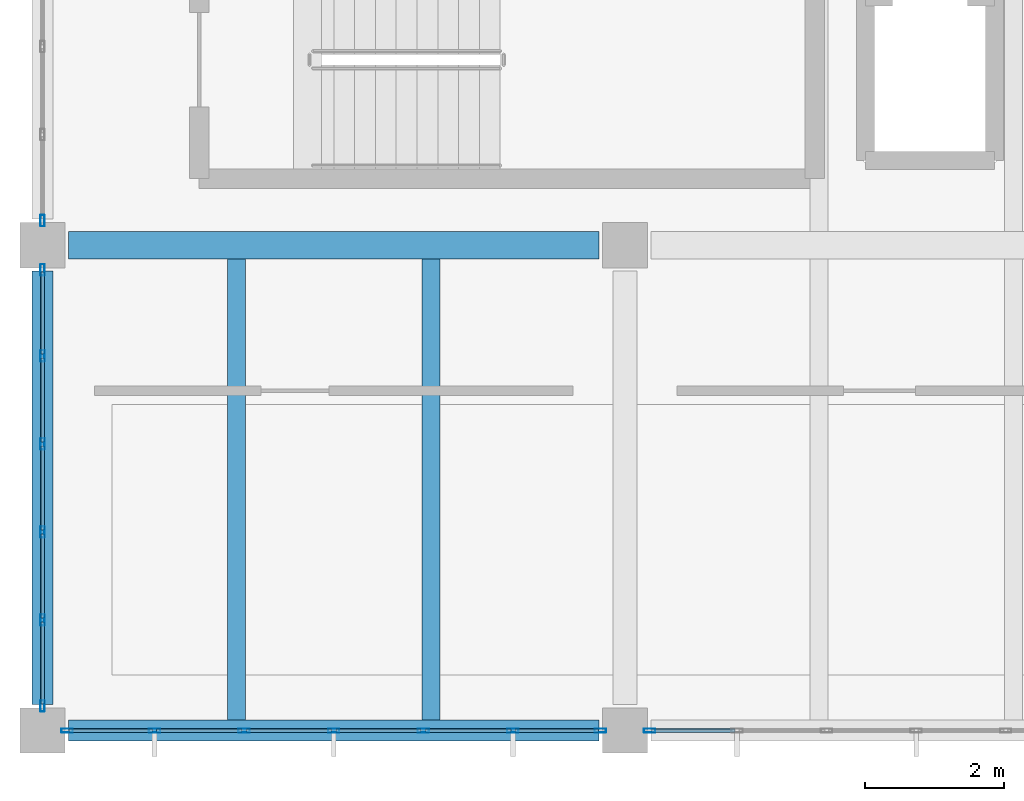
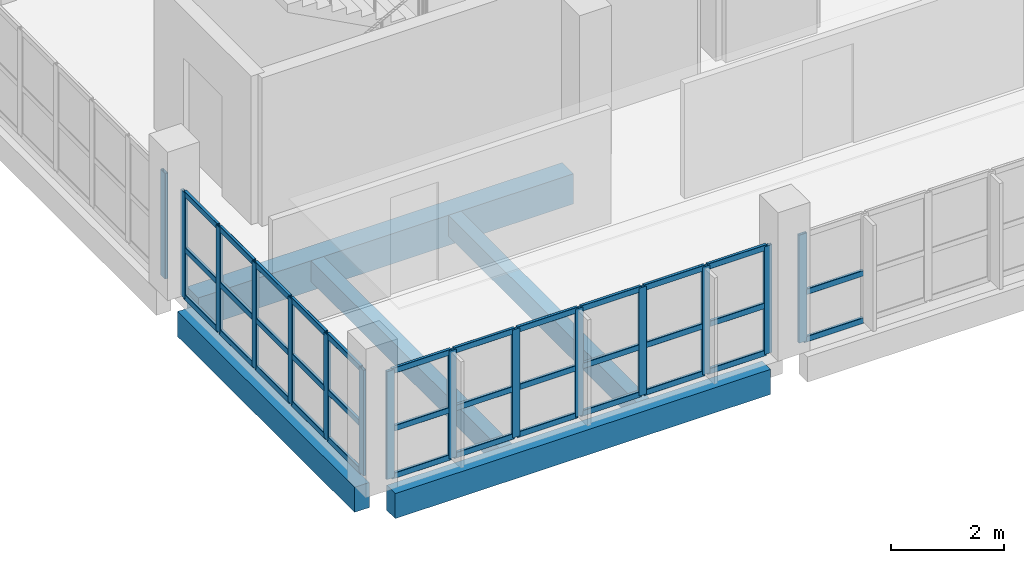
# One storey, part 2 of 33: 50 members, 5 beams, 4 elements without a shape of their own.
"""IFC4 building model written with IfcOpenShell, lengths in metres."""

from ifc_helpers import new_model, si_unit, direction, frame, origin, origin_2d, place, context, subcontext, project, spatial, rectangle, hollow_rectangle, extrude, material, layer, layer_set, material_profile, profile_set, type_object, element, aggregate, save


model = new_model("IFC4")

# Units and contexts
model_context = context("Model", 3, precision=1e-05, world=origin(), true_north=direction((0.0, 1.0)))
body_context = subcontext(model_context, "Body", "Model", "MODEL_VIEW")
ifc_project = project(units=[si_unit("LENGTHUNIT", "METRE"), si_unit("AREAUNIT", "SQUARE_METRE"), si_unit("VOLUMEUNIT", "CUBIC_METRE"), si_unit("PLANEANGLEUNIT", "RADIAN"), si_unit("MASSUNIT", "GRAM", prefix="KILO"), si_unit("THERMODYNAMICTEMPERATUREUNIT", "KELVIN"), si_unit("POWERUNIT", "WATT")], contexts=[model_context])

# Site, building, storey
site_placement = place(None, origin())
site = spatial("IfcSite", under=ifc_project, at=site_placement, CompositionType="ELEMENT")
building_placement = place(site_placement, origin())
building = spatial("IfcBuilding", under=site, at=building_placement, Name="Mavoryth Pier Ferry Terminal", CompositionType="ELEMENT")
storey_placement = place(building_placement, frame((0.0, 0.0, 13.1201171875)))
storey = spatial("IfcBuildingStorey", under=building, at=storey_placement, Name="L03", CompositionType="ELEMENT", Elevation=13.1201171875)

# Beams
ifc_material_1 = material(Name="Concrete C35/45", Category="concrete")
ifc_material_profile_1 = material_profile(ifc_material_1, rectangle(XDim=0.39990234375, YDim=0.64990234375, at=origin_2d()), Name="RC 400x650", Category="concrete")
ifc_profile_set_1 = profile_set([ifc_material_profile_1], Name="Concrete C35/45 - RC 400x650")
beam_type_1 = type_object("IfcBeamType", Name="Girder-RC-400x650", PredefinedType="BEAM", material=ifc_profile_set_1)
beam_1_placement = place(storey_placement, frame((42.375, 7.0, -0.585205078125), z_axis=(1.0, 0.0, 0.0), x_axis=(0.0, 1.0, 0.0)))
element("IfcBeam", 1, at=beam_1_placement, inside=storey, type_object=beam_type_1, Name="Beam B03-BG05-1239", PredefinedType="BEAM", context=body_context, shape_type="SweptSolid", body=[
    extrude(rectangle(XDim=0.39990234375, YDim=0.64990234375, at=origin_2d()), origin(), (0.0, 0.0, 1.0), 7.64990234375),
])
ifc_material_profile_2 = material_profile(ifc_material_1, rectangle(XDim=0.260009765625, YDim=0.449951171875, at=origin_2d()), Name="RC 260x450", Category="concrete")
ifc_profile_set_2 = profile_set([ifc_material_profile_2], Name="Concrete C35/45 - RC 260x450")
beam_type_2 = type_object("IfcBeamType", Name="Joist-RC-260x450", PredefinedType="JOIST", material=ifc_profile_set_2)
for number, where, z_axis, x_axis, name in (
    (2, (44.800048828125, 0.14990234375, -0.485107421875), (0.0, 1.0, 0.0), (-1.0, 0.0, 0.0), "Beam B03-BJ03-1278"),
    (3, (47.60009765625, 0.14990234375, -0.485107421875), (0.0, 1.0, 0.0), (-1.0, 0.0, 0.0), "Beam B03-BJ03-1279"),
):
    element("IfcBeam", number, at=place(storey_placement, frame(where, z_axis=z_axis, x_axis=x_axis)), inside=storey, type_object=beam_type_2, Name=name, PredefinedType="JOIST", context=body_context, shape_type="SweptSolid", body=[
        extrude(rectangle(XDim=0.260009765625, YDim=0.449951171875, at=origin_2d()), origin(), (0.0, 0.0, 1.0), 6.650146484375),
    ])

# Curtain wall, members
ifc_material_2 = material(Name="Anodised Aluminium and Solar-Control Low-E Glass", Category="aluminium")
ifc_layer = layer(ifc_material_2, 0.239990234375, Name="Anodised Aluminium and Solar-Control Low-E Glass", Category="aluminium")
ifc_layer_set = layer_set([ifc_layer], Name="Anodised Aluminium and Solar-Control Low-E Glass - CW-Operations-Mod1200")
curtain_wall_type = type_object("IfcCurtainWallType", Name="CW-Operations-Mod1200", PredefinedType="USERDEFINED", material=ifc_layer_set)
curtain_wall_1_placement = place(storey_placement, origin())
curtain_wall_1 = element("IfcCurtainWall", 4, at=curtain_wall_1_placement, inside=storey, type_object=curtain_wall_type, Name="Curtain Wall CW-0322-136", ObjectType="UNITISED CURTAIN WALL", PredefinedType="USERDEFINED")
ifc_material_3 = material(Name="Anodised Aluminium EN AW-6063", Category="aluminium")
ifc_material_profile_3 = material_profile(ifc_material_3, hollow_rectangle(XDim=0.06005859375, YDim=0.1650390625, WallThickness=0.00390625, InnerFilletRadius=0.00390625, OuterFilletRadius=0.008056640625, at=origin_2d()), Name="AL-MULL 165x60x4", Category="aluminium")
ifc_profile_set_3 = profile_set([ifc_material_profile_3], Name="Anodised Aluminium EN AW-6063 - AL-MULL 165x60x4")
member_type_1 = type_object("IfcMemberType", Name="Mullion-Alum-165x60", PredefinedType="MULLION", material=ifc_profile_set_3)
member_1_placement = place(storey_placement, frame((42.35498046875, 0.0, 0.0), z_axis=(0.0, 0.0, 1.0), x_axis=(0.0, 1.0, 0.0)))
member_1 = element("IfcMember", 5, at=member_1_placement, type_object=member_type_1, Name="CW06 mullion 1", PredefinedType="MULLION", context=body_context, shape_type="SweptSolid", body=[
    extrude(hollow_rectangle(XDim=0.06005859375, YDim=0.1650390625, WallThickness=0.00390625, InnerFilletRadius=0.00390625, OuterFilletRadius=0.008056640625, at=origin_2d()), origin(), (0.0, 0.0, 1.0), 2.324951171875),
])
member_2_placement = place(storey_placement, frame((43.61669921875, 0.0, 0.0), z_axis=(0.0, 0.0, 1.0), x_axis=(0.0, 1.0, 0.0)))
member_2 = element("IfcMember", 6, at=member_2_placement, type_object=member_type_1, Name="CW06 mullion 2", PredefinedType="MULLION", context=body_context, shape_type="SweptSolid", body=[
    extrude(hollow_rectangle(XDim=0.06005859375, YDim=0.1650390625, WallThickness=0.00390625, InnerFilletRadius=0.00390625, OuterFilletRadius=0.008056640625, at=origin_2d()), origin(), (0.0, 0.0, 1.0), 2.324951171875),
])
member_3_placement = place(storey_placement, frame((44.908447265625, 0.0, 0.0), z_axis=(0.0, 0.0, 1.0), x_axis=(0.0, 1.0, 0.0)))
member_3 = element("IfcMember", 7, at=member_3_placement, type_object=member_type_1, Name="CW06 mullion 3", PredefinedType="MULLION", context=body_context, shape_type="SweptSolid", body=[
    extrude(hollow_rectangle(XDim=0.06005859375, YDim=0.1650390625, WallThickness=0.00390625, InnerFilletRadius=0.00390625, OuterFilletRadius=0.008056640625, at=origin_2d()), origin(), (0.0, 0.0, 1.0), 2.324951171875),
])
member_4_placement = place(storey_placement, frame((46.199951171875, 0.0, 0.0), z_axis=(0.0, 0.0, 1.0), x_axis=(0.0, 1.0, 0.0)))
member_4 = element("IfcMember", 8, at=member_4_placement, type_object=member_type_1, Name="CW06 mullion 4", PredefinedType="MULLION", context=body_context, shape_type="SweptSolid", body=[
    extrude(hollow_rectangle(XDim=0.06005859375, YDim=0.1650390625, WallThickness=0.00390625, InnerFilletRadius=0.00390625, OuterFilletRadius=0.008056640625, at=origin_2d()), origin(), (0.0, 0.0, 1.0), 2.324951171875),
])
member_5_placement = place(storey_placement, frame((47.49169921875, 0.0, 0.0), z_axis=(0.0, 0.0, 1.0), x_axis=(0.0, 1.0, 0.0)))
member_5 = element("IfcMember", 9, at=member_5_placement, type_object=member_type_1, Name="CW06 mullion 5", PredefinedType="MULLION", context=body_context, shape_type="SweptSolid", body=[
    extrude(hollow_rectangle(XDim=0.06005859375, YDim=0.1650390625, WallThickness=0.00390625, InnerFilletRadius=0.00390625, OuterFilletRadius=0.008056640625, at=origin_2d()), origin(), (0.0, 0.0, 1.0), 2.324951171875),
])
member_6_placement = place(storey_placement, frame((48.783447265625, 0.0, 0.0), z_axis=(0.0, 0.0, 1.0), x_axis=(0.0, 1.0, 0.0)))
member_6 = element("IfcMember", 10, at=member_6_placement, type_object=member_type_1, Name="CW06 mullion 6", PredefinedType="MULLION", context=body_context, shape_type="SweptSolid", body=[
    extrude(hollow_rectangle(XDim=0.06005859375, YDim=0.1650390625, WallThickness=0.00390625, InnerFilletRadius=0.00390625, OuterFilletRadius=0.008056640625, at=origin_2d()), origin(), (0.0, 0.0, 1.0), 2.324951171875),
])
member_7_placement = place(storey_placement, frame((50.044921875, 0.0, 0.0), z_axis=(0.0, 0.0, 1.0), x_axis=(0.0, 1.0, 0.0)))
member_7 = element("IfcMember", 11, at=member_7_placement, type_object=member_type_1, Name="CW06 mullion 7", PredefinedType="MULLION", context=body_context, shape_type="SweptSolid", body=[
    extrude(hollow_rectangle(XDim=0.06005859375, YDim=0.1650390625, WallThickness=0.00390625, InnerFilletRadius=0.00390625, OuterFilletRadius=0.008056640625, at=origin_2d()), origin(), (0.0, 0.0, 1.0), 2.324951171875),
])

# Curtain wall, member
curtain_wall_2_placement = place(storey_placement, origin())
curtain_wall_2 = element("IfcCurtainWall", 12, at=curtain_wall_2_placement, inside=storey, type_object=curtain_wall_type, Name="Curtain Wall CW-0322-138", ObjectType="UNITISED CURTAIN WALL", PredefinedType="USERDEFINED")
member_8_placement = place(storey_placement, frame((50.7548828125, 0.0, 0.0), z_axis=(0.0, 0.0, 1.0), x_axis=(0.0, 1.0, 0.0)))
member_8 = element("IfcMember", 13, at=member_8_placement, type_object=member_type_1, Name="CW06 mullion 1", PredefinedType="MULLION", context=body_context, shape_type="SweptSolid", body=[
    extrude(hollow_rectangle(XDim=0.06005859375, YDim=0.1650390625, WallThickness=0.00390625, InnerFilletRadius=0.00390625, OuterFilletRadius=0.008056640625, at=origin_2d()), origin(), (0.0, 0.0, 1.0), 2.324951171875),
])

# Curtain wall, members
curtain_wall_3_placement = place(storey_placement, origin())
curtain_wall_3 = element("IfcCurtainWall", 14, at=curtain_wall_3_placement, inside=storey, type_object=curtain_wall_type, Name="Curtain Wall CW-0322-146", ObjectType="UNITISED CURTAIN WALL", PredefinedType="USERDEFINED")
member_9_placement = place(storey_placement, frame((42.0, 6.64501953125, 0.0), z_axis=(0.0, 0.0, 1.0), x_axis=(1.0, 0.0, 0.0)))
member_9 = element("IfcMember", 15, at=member_9_placement, type_object=member_type_1, Name="CW06 mullion 1", PredefinedType="MULLION", context=body_context, shape_type="SweptSolid", body=[
    extrude(hollow_rectangle(XDim=0.06005859375, YDim=0.1650390625, WallThickness=0.00390625, InnerFilletRadius=0.00390625, OuterFilletRadius=0.008056640625, at=origin_2d()), origin(), (0.0, 0.0, 1.0), 2.27490234375),
])
member_10_placement = place(storey_placement, frame((42.0, 5.405029296875, 0.0), z_axis=(0.0, 0.0, 1.0), x_axis=(1.0, 0.0, 0.0)))
member_10 = element("IfcMember", 16, at=member_10_placement, type_object=member_type_1, Name="CW06 mullion 2", PredefinedType="MULLION", context=body_context, shape_type="SweptSolid", body=[
    extrude(hollow_rectangle(XDim=0.06005859375, YDim=0.1650390625, WallThickness=0.00390625, InnerFilletRadius=0.00390625, OuterFilletRadius=0.008056640625, at=origin_2d()), origin(), (0.0, 0.0, 1.0), 2.27490234375),
])
member_11_placement = place(storey_placement, frame((42.0, 4.135009765625, 0.0), z_axis=(0.0, 0.0, 1.0), x_axis=(1.0, 0.0, 0.0)))
member_11 = element("IfcMember", 17, at=member_11_placement, type_object=member_type_1, Name="CW06 mullion 3", PredefinedType="MULLION", context=body_context, shape_type="SweptSolid", body=[
    extrude(hollow_rectangle(XDim=0.06005859375, YDim=0.1650390625, WallThickness=0.00390625, InnerFilletRadius=0.00390625, OuterFilletRadius=0.008056640625, at=origin_2d()), origin(), (0.0, 0.0, 1.0), 2.27490234375),
])
member_12_placement = place(storey_placement, frame((42.0, 2.864990234375, 0.0), z_axis=(0.0, 0.0, 1.0), x_axis=(1.0, 0.0, 0.0)))
member_12 = element("IfcMember", 18, at=member_12_placement, type_object=member_type_1, Name="CW06 mullion 4", PredefinedType="MULLION", context=body_context, shape_type="SweptSolid", body=[
    extrude(hollow_rectangle(XDim=0.06005859375, YDim=0.1650390625, WallThickness=0.00390625, InnerFilletRadius=0.00390625, OuterFilletRadius=0.008056640625, at=origin_2d()), origin(), (0.0, 0.0, 1.0), 2.27490234375),
])
member_13_placement = place(storey_placement, frame((42.0, 1.594970703125, 0.0), z_axis=(0.0, 0.0, 1.0), x_axis=(1.0, 0.0, 0.0)))
member_13 = element("IfcMember", 19, at=member_13_placement, type_object=member_type_1, Name="CW06 mullion 5", PredefinedType="MULLION", context=body_context, shape_type="SweptSolid", body=[
    extrude(hollow_rectangle(XDim=0.06005859375, YDim=0.1650390625, WallThickness=0.00390625, InnerFilletRadius=0.00390625, OuterFilletRadius=0.008056640625, at=origin_2d()), origin(), (0.0, 0.0, 1.0), 2.27490234375),
])
member_14_placement = place(storey_placement, frame((42.0, 0.35498046875, 0.0), z_axis=(0.0, 0.0, 1.0), x_axis=(1.0, 0.0, 0.0)))
member_14 = element("IfcMember", 20, at=member_14_placement, type_object=member_type_1, Name="CW06 mullion 6", PredefinedType="MULLION", context=body_context, shape_type="SweptSolid", body=[
    extrude(hollow_rectangle(XDim=0.06005859375, YDim=0.1650390625, WallThickness=0.00390625, InnerFilletRadius=0.00390625, OuterFilletRadius=0.008056640625, at=origin_2d()), origin(), (0.0, 0.0, 1.0), 2.27490234375),
])

# Curtain wall, member
curtain_wall_4_placement = place(storey_placement, origin())
curtain_wall_4 = element("IfcCurtainWall", 21, at=curtain_wall_4_placement, inside=storey, type_object=curtain_wall_type, Name="Curtain Wall CW-0322-147", ObjectType="UNITISED CURTAIN WALL", PredefinedType="USERDEFINED")
member_15_placement = place(storey_placement, frame((42.0, 7.35498046875, 0.0), z_axis=(0.0, 0.0, 1.0), x_axis=(1.0, 0.0, 0.0)))
member_15 = element("IfcMember", 22, at=member_15_placement, type_object=member_type_1, Name="CW06 mullion 6", PredefinedType="MULLION", context=body_context, shape_type="SweptSolid", body=[
    extrude(hollow_rectangle(XDim=0.06005859375, YDim=0.1650390625, WallThickness=0.00390625, InnerFilletRadius=0.00390625, OuterFilletRadius=0.008056640625, at=origin_2d()), origin(), (0.0, 0.0, 1.0), 2.27490234375),
])
aggregate(curtain_wall_4, [member_15])

# Beams
ifc_material_profile_4 = material_profile(ifc_material_1, rectangle(XDim=0.300048828125, YDim=0.5400390625, at=origin_2d()), Name="RC 300x540", Category="concrete")
ifc_profile_set_4 = profile_set([ifc_material_profile_4], Name="Concrete C35/45 - RC 300x540")
beam_type_3 = type_object("IfcBeamType", Name="Spandrel-RC-300x540", PredefinedType="SPANDREL", material=ifc_profile_set_4)
beam_2_placement = place(storey_placement, frame((42.375, 0.0, -0.530029296875), z_axis=(1.0, 0.0, 0.0), x_axis=(0.0, 1.0, 0.0)))
element("IfcBeam", 23, at=beam_2_placement, inside=storey, type_object=beam_type_3, Name="Beam B03-SP02-1233", PredefinedType="SPANDREL", context=body_context, shape_type="SweptSolid", body=[
    extrude(rectangle(XDim=0.300048828125, YDim=0.5400390625, at=origin_2d()), origin(), (0.0, 0.0, 1.0), 7.64990234375),
])
beam_3_placement = place(storey_placement, frame((42.0, 0.375, -0.530029296875), z_axis=(0.0, 1.0, 0.0), x_axis=(-1.0, 0.0, 0.0)))
element("IfcBeam", 24, at=beam_3_placement, inside=storey, type_object=beam_type_3, Name="Beam B03-SP02-1257", PredefinedType="SPANDREL", context=body_context, shape_type="SweptSolid", body=[
    extrude(rectangle(XDim=0.300048828125, YDim=0.5400390625, at=origin_2d()), origin(), (0.0, 0.0, 1.0), 6.25),
])

# Member
ifc_material_profile_5 = material_profile(ifc_material_3, hollow_rectangle(XDim=0.06005859375, YDim=0.125, WallThickness=0.00390625, InnerFilletRadius=0.00390625, OuterFilletRadius=0.008056640625, at=origin_2d()), Name="AL-TRAN 125x60x4", Category="aluminium")
ifc_profile_set_5 = profile_set([ifc_material_profile_5], Name="Anodised Aluminium EN AW-6063 - AL-TRAN 125x60x4")
member_type_2 = type_object("IfcMemberType", Name="Transom-Alum-125x60", PredefinedType="USERDEFINED", material=ifc_profile_set_5)
member_16_placement = place(storey_placement, frame((42.385009765625, 0.0, 0.02978515625), z_axis=(1.0, 0.0, 0.0), x_axis=(0.0, 1.0, 0.0)))
member_16 = element("IfcMember", 25, at=member_16_placement, type_object=member_type_2, Name="CW06 transom 1.1", ObjectType="TRANSOM", PredefinedType="USERDEFINED", context=body_context, shape_type="SweptSolid", body=[
    extrude(hollow_rectangle(XDim=0.06005859375, YDim=0.125, WallThickness=0.00390625, InnerFilletRadius=0.00390625, OuterFilletRadius=0.008056640625, at=origin_2d()), origin(), (0.0, 0.0, 1.0), 1.20166015625),
])

member_17_placement = place(storey_placement, frame((42.385009765625, 0.0, 1.0498046875), z_axis=(1.0, 0.0, 0.0), x_axis=(0.0, 1.0, 0.0)))
member_17 = element("IfcMember", 26, at=member_17_placement, type_object=member_type_2, Name="CW06 transom 1.2", ObjectType="TRANSOM", PredefinedType="USERDEFINED", context=body_context, shape_type="SweptSolid", body=[
    extrude(hollow_rectangle(XDim=0.06005859375, YDim=0.125, WallThickness=0.00390625, InnerFilletRadius=0.00390625, OuterFilletRadius=0.008056640625, at=origin_2d()), origin(), (0.0, 0.0, 1.0), 1.20166015625),
])

member_18_placement = place(storey_placement, frame((42.385009765625, 0.0, 2.294921875), z_axis=(1.0, 0.0, 0.0), x_axis=(0.0, 1.0, 0.0)))
member_18 = element("IfcMember", 27, at=member_18_placement, type_object=member_type_2, Name="CW06 transom 1.3", ObjectType="TRANSOM", PredefinedType="USERDEFINED", context=body_context, shape_type="SweptSolid", body=[
    extrude(hollow_rectangle(XDim=0.06005859375, YDim=0.125, WallThickness=0.00390625, InnerFilletRadius=0.00390625, OuterFilletRadius=0.008056640625, at=origin_2d()), origin(), (0.0, 0.0, 1.0), 1.20166015625),
])

member_19_placement = place(storey_placement, frame((43.646728515625, 0.0, 0.02978515625), z_axis=(1.0, 0.0, 0.0), x_axis=(0.0, 1.0, 0.0)))
member_19 = element("IfcMember", 28, at=member_19_placement, type_object=member_type_2, Name="CW06 transom 2.1", ObjectType="TRANSOM", PredefinedType="USERDEFINED", context=body_context, shape_type="SweptSolid", body=[
    extrude(hollow_rectangle(XDim=0.06005859375, YDim=0.125, WallThickness=0.00390625, InnerFilletRadius=0.00390625, OuterFilletRadius=0.008056640625, at=origin_2d()), origin(), (0.0, 0.0, 1.0), 1.231689453125),
])

member_20_placement = place(storey_placement, frame((43.646728515625, 0.0, 1.0498046875), z_axis=(1.0, 0.0, 0.0), x_axis=(0.0, 1.0, 0.0)))
member_20 = element("IfcMember", 29, at=member_20_placement, type_object=member_type_2, Name="CW06 transom 2.2", ObjectType="TRANSOM", PredefinedType="USERDEFINED", context=body_context, shape_type="SweptSolid", body=[
    extrude(hollow_rectangle(XDim=0.06005859375, YDim=0.125, WallThickness=0.00390625, InnerFilletRadius=0.00390625, OuterFilletRadius=0.008056640625, at=origin_2d()), origin(), (0.0, 0.0, 1.0), 1.231689453125),
])

member_21_placement = place(storey_placement, frame((43.646728515625, 0.0, 2.294921875), z_axis=(1.0, 0.0, 0.0), x_axis=(0.0, 1.0, 0.0)))
member_21 = element("IfcMember", 30, at=member_21_placement, type_object=member_type_2, Name="CW06 transom 2.3", ObjectType="TRANSOM", PredefinedType="USERDEFINED", context=body_context, shape_type="SweptSolid", body=[
    extrude(hollow_rectangle(XDim=0.06005859375, YDim=0.125, WallThickness=0.00390625, InnerFilletRadius=0.00390625, OuterFilletRadius=0.008056640625, at=origin_2d()), origin(), (0.0, 0.0, 1.0), 1.231689453125),
])

member_22_placement = place(storey_placement, frame((44.938232421875, 0.0, 0.02978515625), z_axis=(1.0, 0.0, 0.0), x_axis=(0.0, 1.0, 0.0)))
member_22 = element("IfcMember", 31, at=member_22_placement, type_object=member_type_2, Name="CW06 transom 3.1", ObjectType="TRANSOM", PredefinedType="USERDEFINED", context=body_context, shape_type="SweptSolid", body=[
    extrude(hollow_rectangle(XDim=0.06005859375, YDim=0.125, WallThickness=0.00390625, InnerFilletRadius=0.00390625, OuterFilletRadius=0.008056640625, at=origin_2d()), origin(), (0.0, 0.0, 1.0), 1.231689453125),
])

member_23_placement = place(storey_placement, frame((44.938232421875, 0.0, 1.0498046875), z_axis=(1.0, 0.0, 0.0), x_axis=(0.0, 1.0, 0.0)))
member_23 = element("IfcMember", 32, at=member_23_placement, type_object=member_type_2, Name="CW06 transom 3.2", ObjectType="TRANSOM", PredefinedType="USERDEFINED", context=body_context, shape_type="SweptSolid", body=[
    extrude(hollow_rectangle(XDim=0.06005859375, YDim=0.125, WallThickness=0.00390625, InnerFilletRadius=0.00390625, OuterFilletRadius=0.008056640625, at=origin_2d()), origin(), (0.0, 0.0, 1.0), 1.231689453125),
])

member_24_placement = place(storey_placement, frame((44.938232421875, 0.0, 2.294921875), z_axis=(1.0, 0.0, 0.0), x_axis=(0.0, 1.0, 0.0)))
member_24 = element("IfcMember", 33, at=member_24_placement, type_object=member_type_2, Name="CW06 transom 3.3", ObjectType="TRANSOM", PredefinedType="USERDEFINED", context=body_context, shape_type="SweptSolid", body=[
    extrude(hollow_rectangle(XDim=0.06005859375, YDim=0.125, WallThickness=0.00390625, InnerFilletRadius=0.00390625, OuterFilletRadius=0.008056640625, at=origin_2d()), origin(), (0.0, 0.0, 1.0), 1.231689453125),
])

member_25_placement = place(storey_placement, frame((46.22998046875, 0.0, 0.02978515625), z_axis=(1.0, 0.0, 0.0), x_axis=(0.0, 1.0, 0.0)))
member_25 = element("IfcMember", 34, at=member_25_placement, type_object=member_type_2, Name="CW06 transom 4.1", ObjectType="TRANSOM", PredefinedType="USERDEFINED", context=body_context, shape_type="SweptSolid", body=[
    extrude(hollow_rectangle(XDim=0.06005859375, YDim=0.125, WallThickness=0.00390625, InnerFilletRadius=0.00390625, OuterFilletRadius=0.008056640625, at=origin_2d()), origin(), (0.0, 0.0, 1.0), 1.231689453125),
])

member_26_placement = place(storey_placement, frame((46.22998046875, 0.0, 1.0498046875), z_axis=(1.0, 0.0, 0.0), x_axis=(0.0, 1.0, 0.0)))
member_26 = element("IfcMember", 35, at=member_26_placement, type_object=member_type_2, Name="CW06 transom 4.2", ObjectType="TRANSOM", PredefinedType="USERDEFINED", context=body_context, shape_type="SweptSolid", body=[
    extrude(hollow_rectangle(XDim=0.06005859375, YDim=0.125, WallThickness=0.00390625, InnerFilletRadius=0.00390625, OuterFilletRadius=0.008056640625, at=origin_2d()), origin(), (0.0, 0.0, 1.0), 1.231689453125),
])

member_27_placement = place(storey_placement, frame((46.22998046875, 0.0, 2.294921875), z_axis=(1.0, 0.0, 0.0), x_axis=(0.0, 1.0, 0.0)))
member_27 = element("IfcMember", 36, at=member_27_placement, type_object=member_type_2, Name="CW06 transom 4.3", ObjectType="TRANSOM", PredefinedType="USERDEFINED", context=body_context, shape_type="SweptSolid", body=[
    extrude(hollow_rectangle(XDim=0.06005859375, YDim=0.125, WallThickness=0.00390625, InnerFilletRadius=0.00390625, OuterFilletRadius=0.008056640625, at=origin_2d()), origin(), (0.0, 0.0, 1.0), 1.231689453125),
])

member_28_placement = place(storey_placement, frame((47.521728515625, 0.0, 0.02978515625), z_axis=(1.0, 0.0, 0.0), x_axis=(0.0, 1.0, 0.0)))
member_28 = element("IfcMember", 37, at=member_28_placement, type_object=member_type_2, Name="CW06 transom 5.1", ObjectType="TRANSOM", PredefinedType="USERDEFINED", context=body_context, shape_type="SweptSolid", body=[
    extrude(hollow_rectangle(XDim=0.06005859375, YDim=0.125, WallThickness=0.00390625, InnerFilletRadius=0.00390625, OuterFilletRadius=0.008056640625, at=origin_2d()), origin(), (0.0, 0.0, 1.0), 1.231689453125),
])

member_29_placement = place(storey_placement, frame((47.521728515625, 0.0, 1.0498046875), z_axis=(1.0, 0.0, 0.0), x_axis=(0.0, 1.0, 0.0)))
member_29 = element("IfcMember", 38, at=member_29_placement, type_object=member_type_2, Name="CW06 transom 5.2", ObjectType="TRANSOM", PredefinedType="USERDEFINED", context=body_context, shape_type="SweptSolid", body=[
    extrude(hollow_rectangle(XDim=0.06005859375, YDim=0.125, WallThickness=0.00390625, InnerFilletRadius=0.00390625, OuterFilletRadius=0.008056640625, at=origin_2d()), origin(), (0.0, 0.0, 1.0), 1.231689453125),
])

member_30_placement = place(storey_placement, frame((47.521728515625, 0.0, 2.294921875), z_axis=(1.0, 0.0, 0.0), x_axis=(0.0, 1.0, 0.0)))
member_30 = element("IfcMember", 39, at=member_30_placement, type_object=member_type_2, Name="CW06 transom 5.3", ObjectType="TRANSOM", PredefinedType="USERDEFINED", context=body_context, shape_type="SweptSolid", body=[
    extrude(hollow_rectangle(XDim=0.06005859375, YDim=0.125, WallThickness=0.00390625, InnerFilletRadius=0.00390625, OuterFilletRadius=0.008056640625, at=origin_2d()), origin(), (0.0, 0.0, 1.0), 1.231689453125),
])

member_31_placement = place(storey_placement, frame((48.813232421875, 0.0, 0.02978515625), z_axis=(1.0, 0.0, 0.0), x_axis=(0.0, 1.0, 0.0)))
member_31 = element("IfcMember", 40, at=member_31_placement, type_object=member_type_2, Name="CW06 transom 6.1", ObjectType="TRANSOM", PredefinedType="USERDEFINED", context=body_context, shape_type="SweptSolid", body=[
    extrude(hollow_rectangle(XDim=0.06005859375, YDim=0.125, WallThickness=0.00390625, InnerFilletRadius=0.00390625, OuterFilletRadius=0.008056640625, at=origin_2d()), origin(), (0.0, 0.0, 1.0), 1.20166015625),
])

member_32_placement = place(storey_placement, frame((48.813232421875, 0.0, 1.0498046875), z_axis=(1.0, 0.0, 0.0), x_axis=(0.0, 1.0, 0.0)))
member_32 = element("IfcMember", 41, at=member_32_placement, type_object=member_type_2, Name="CW06 transom 6.2", ObjectType="TRANSOM", PredefinedType="USERDEFINED", context=body_context, shape_type="SweptSolid", body=[
    extrude(hollow_rectangle(XDim=0.06005859375, YDim=0.125, WallThickness=0.00390625, InnerFilletRadius=0.00390625, OuterFilletRadius=0.008056640625, at=origin_2d()), origin(), (0.0, 0.0, 1.0), 1.20166015625),
])

member_33_placement = place(storey_placement, frame((48.813232421875, 0.0, 2.294921875), z_axis=(1.0, 0.0, 0.0), x_axis=(0.0, 1.0, 0.0)))
member_33 = element("IfcMember", 42, at=member_33_placement, type_object=member_type_2, Name="CW06 transom 6.3", ObjectType="TRANSOM", PredefinedType="USERDEFINED", context=body_context, shape_type="SweptSolid", body=[
    extrude(hollow_rectangle(XDim=0.06005859375, YDim=0.125, WallThickness=0.00390625, InnerFilletRadius=0.00390625, OuterFilletRadius=0.008056640625, at=origin_2d()), origin(), (0.0, 0.0, 1.0), 1.20166015625),
])

aggregate(curtain_wall_1, [member_1, member_2, member_3, member_4, member_5, member_6, member_7, member_16, member_17, member_18, member_19, member_20, member_21, member_22, member_23, member_24, member_25, member_26, member_27, member_28, member_29, member_30, member_31, member_32, member_33])

member_34_placement = place(storey_placement, frame((50.784912109375, 0.0, 0.02978515625), z_axis=(1.0, 0.0, 0.0), x_axis=(0.0, 1.0, 0.0)))
member_34 = element("IfcMember", 43, at=member_34_placement, type_object=member_type_2, Name="CW06 transom 1.1", ObjectType="TRANSOM", PredefinedType="USERDEFINED", context=body_context, shape_type="SweptSolid", body=[
    extrude(hollow_rectangle(XDim=0.06005859375, YDim=0.125, WallThickness=0.00390625, InnerFilletRadius=0.00390625, OuterFilletRadius=0.008056640625, at=origin_2d()), origin(), (0.0, 0.0, 1.0), 1.20166015625),
])

member_35_placement = place(storey_placement, frame((50.784912109375, 0.0, 1.0498046875), z_axis=(1.0, 0.0, 0.0), x_axis=(0.0, 1.0, 0.0)))
member_35 = element("IfcMember", 44, at=member_35_placement, type_object=member_type_2, Name="CW06 transom 1.2", ObjectType="TRANSOM", PredefinedType="USERDEFINED", context=body_context, shape_type="SweptSolid", body=[
    extrude(hollow_rectangle(XDim=0.06005859375, YDim=0.125, WallThickness=0.00390625, InnerFilletRadius=0.00390625, OuterFilletRadius=0.008056640625, at=origin_2d()), origin(), (0.0, 0.0, 1.0), 1.20166015625),
])

aggregate(curtain_wall_2, [member_8, member_34, member_35])

member_36_placement = place(storey_placement, frame((42.0, 6.614990234375, 0.02978515625), z_axis=(0.0, -1.0, 0.0), x_axis=(1.0, 0.0, 0.0)))
member_36 = element("IfcMember", 45, at=member_36_placement, type_object=member_type_2, Name="CW06 transom 1.1", ObjectType="TRANSOM", PredefinedType="USERDEFINED", context=body_context, shape_type="SweptSolid", body=[
    extrude(hollow_rectangle(XDim=0.06005859375, YDim=0.125, WallThickness=0.00390625, InnerFilletRadius=0.00390625, OuterFilletRadius=0.008056640625, at=origin_2d()), origin(), (0.0, 0.0, 1.0), 1.179931640625),
])

member_37_placement = place(storey_placement, frame((42.0, 6.614990234375, 1.0498046875), z_axis=(0.0, -1.0, 0.0), x_axis=(1.0, 0.0, 0.0)))
member_37 = element("IfcMember", 46, at=member_37_placement, type_object=member_type_2, Name="CW06 transom 1.2", ObjectType="TRANSOM", PredefinedType="USERDEFINED", context=body_context, shape_type="SweptSolid", body=[
    extrude(hollow_rectangle(XDim=0.06005859375, YDim=0.125, WallThickness=0.00390625, InnerFilletRadius=0.00390625, OuterFilletRadius=0.008056640625, at=origin_2d()), origin(), (0.0, 0.0, 1.0), 1.179931640625),
])

member_38_placement = place(storey_placement, frame((42.0, 6.614990234375, 2.244873046875), z_axis=(0.0, -1.0, 0.0), x_axis=(1.0, 0.0, 0.0)))
member_38 = element("IfcMember", 47, at=member_38_placement, type_object=member_type_2, Name="CW06 transom 1.3", ObjectType="TRANSOM", PredefinedType="USERDEFINED", context=body_context, shape_type="SweptSolid", body=[
    extrude(hollow_rectangle(XDim=0.06005859375, YDim=0.125, WallThickness=0.00390625, InnerFilletRadius=0.00390625, OuterFilletRadius=0.008056640625, at=origin_2d()), origin(), (0.0, 0.0, 1.0), 1.179931640625),
])

member_39_placement = place(storey_placement, frame((42.0, 5.375, 0.02978515625), z_axis=(0.0, -1.0, 0.0), x_axis=(1.0, 0.0, 0.0)))
member_39 = element("IfcMember", 48, at=member_39_placement, type_object=member_type_2, Name="CW06 transom 2.1", ObjectType="TRANSOM", PredefinedType="USERDEFINED", context=body_context, shape_type="SweptSolid", body=[
    extrude(hollow_rectangle(XDim=0.06005859375, YDim=0.125, WallThickness=0.00390625, InnerFilletRadius=0.00390625, OuterFilletRadius=0.008056640625, at=origin_2d()), origin(), (0.0, 0.0, 1.0), 1.2099609375),
])

member_40_placement = place(storey_placement, frame((42.0, 5.375, 1.0498046875), z_axis=(0.0, -1.0, 0.0), x_axis=(1.0, 0.0, 0.0)))
member_40 = element("IfcMember", 49, at=member_40_placement, type_object=member_type_2, Name="CW06 transom 2.2", ObjectType="TRANSOM", PredefinedType="USERDEFINED", context=body_context, shape_type="SweptSolid", body=[
    extrude(hollow_rectangle(XDim=0.06005859375, YDim=0.125, WallThickness=0.00390625, InnerFilletRadius=0.00390625, OuterFilletRadius=0.008056640625, at=origin_2d()), origin(), (0.0, 0.0, 1.0), 1.2099609375),
])

member_41_placement = place(storey_placement, frame((42.0, 5.375, 2.244873046875), z_axis=(0.0, -1.0, 0.0), x_axis=(1.0, 0.0, 0.0)))
member_41 = element("IfcMember", 50, at=member_41_placement, type_object=member_type_2, Name="CW06 transom 2.3", ObjectType="TRANSOM", PredefinedType="USERDEFINED", context=body_context, shape_type="SweptSolid", body=[
    extrude(hollow_rectangle(XDim=0.06005859375, YDim=0.125, WallThickness=0.00390625, InnerFilletRadius=0.00390625, OuterFilletRadius=0.008056640625, at=origin_2d()), origin(), (0.0, 0.0, 1.0), 1.2099609375),
])

member_42_placement = place(storey_placement, frame((42.0, 4.10498046875, 0.02978515625), z_axis=(0.0, -1.0, 0.0), x_axis=(1.0, 0.0, 0.0)))
member_42 = element("IfcMember", 51, at=member_42_placement, type_object=member_type_2, Name="CW06 transom 3.1", ObjectType="TRANSOM", PredefinedType="USERDEFINED", context=body_context, shape_type="SweptSolid", body=[
    extrude(hollow_rectangle(XDim=0.06005859375, YDim=0.125, WallThickness=0.00390625, InnerFilletRadius=0.00390625, OuterFilletRadius=0.008056640625, at=origin_2d()), origin(), (0.0, 0.0, 1.0), 1.2099609375),
])

member_43_placement = place(storey_placement, frame((42.0, 4.10498046875, 1.0498046875), z_axis=(0.0, -1.0, 0.0), x_axis=(1.0, 0.0, 0.0)))
member_43 = element("IfcMember", 52, at=member_43_placement, type_object=member_type_2, Name="CW06 transom 3.2", ObjectType="TRANSOM", PredefinedType="USERDEFINED", context=body_context, shape_type="SweptSolid", body=[
    extrude(hollow_rectangle(XDim=0.06005859375, YDim=0.125, WallThickness=0.00390625, InnerFilletRadius=0.00390625, OuterFilletRadius=0.008056640625, at=origin_2d()), origin(), (0.0, 0.0, 1.0), 1.2099609375),
])

member_44_placement = place(storey_placement, frame((42.0, 4.10498046875, 2.244873046875), z_axis=(0.0, -1.0, 0.0), x_axis=(1.0, 0.0, 0.0)))
member_44 = element("IfcMember", 53, at=member_44_placement, type_object=member_type_2, Name="CW06 transom 3.3", ObjectType="TRANSOM", PredefinedType="USERDEFINED", context=body_context, shape_type="SweptSolid", body=[
    extrude(hollow_rectangle(XDim=0.06005859375, YDim=0.125, WallThickness=0.00390625, InnerFilletRadius=0.00390625, OuterFilletRadius=0.008056640625, at=origin_2d()), origin(), (0.0, 0.0, 1.0), 1.2099609375),
])

member_45_placement = place(storey_placement, frame((42.0, 2.8349609375, 0.02978515625), z_axis=(0.0, -1.0, 0.0), x_axis=(1.0, 0.0, 0.0)))
member_45 = element("IfcMember", 54, at=member_45_placement, type_object=member_type_2, Name="CW06 transom 4.1", ObjectType="TRANSOM", PredefinedType="USERDEFINED", context=body_context, shape_type="SweptSolid", body=[
    extrude(hollow_rectangle(XDim=0.06005859375, YDim=0.125, WallThickness=0.00390625, InnerFilletRadius=0.00390625, OuterFilletRadius=0.008056640625, at=origin_2d()), origin(), (0.0, 0.0, 1.0), 1.2099609375),
])

member_46_placement = place(storey_placement, frame((42.0, 2.8349609375, 1.0498046875), z_axis=(0.0, -1.0, 0.0), x_axis=(1.0, 0.0, 0.0)))
member_46 = element("IfcMember", 55, at=member_46_placement, type_object=member_type_2, Name="CW06 transom 4.2", ObjectType="TRANSOM", PredefinedType="USERDEFINED", context=body_context, shape_type="SweptSolid", body=[
    extrude(hollow_rectangle(XDim=0.06005859375, YDim=0.125, WallThickness=0.00390625, InnerFilletRadius=0.00390625, OuterFilletRadius=0.008056640625, at=origin_2d()), origin(), (0.0, 0.0, 1.0), 1.2099609375),
])

member_47_placement = place(storey_placement, frame((42.0, 2.8349609375, 2.244873046875), z_axis=(0.0, -1.0, 0.0), x_axis=(1.0, 0.0, 0.0)))
member_47 = element("IfcMember", 56, at=member_47_placement, type_object=member_type_2, Name="CW06 transom 4.3", ObjectType="TRANSOM", PredefinedType="USERDEFINED", context=body_context, shape_type="SweptSolid", body=[
    extrude(hollow_rectangle(XDim=0.06005859375, YDim=0.125, WallThickness=0.00390625, InnerFilletRadius=0.00390625, OuterFilletRadius=0.008056640625, at=origin_2d()), origin(), (0.0, 0.0, 1.0), 1.2099609375),
])

member_48_placement = place(storey_placement, frame((42.0, 1.56494140625, 0.02978515625), z_axis=(0.0, -1.0, 0.0), x_axis=(1.0, 0.0, 0.0)))
member_48 = element("IfcMember", 57, at=member_48_placement, type_object=member_type_2, Name="CW06 transom 5.1", ObjectType="TRANSOM", PredefinedType="USERDEFINED", context=body_context, shape_type="SweptSolid", body=[
    extrude(hollow_rectangle(XDim=0.06005859375, YDim=0.125, WallThickness=0.00390625, InnerFilletRadius=0.00390625, OuterFilletRadius=0.008056640625, at=origin_2d()), origin(), (0.0, 0.0, 1.0), 1.179931640625),
])

member_49_placement = place(storey_placement, frame((42.0, 1.56494140625, 1.0498046875), z_axis=(0.0, -1.0, 0.0), x_axis=(1.0, 0.0, 0.0)))
member_49 = element("IfcMember", 58, at=member_49_placement, type_object=member_type_2, Name="CW06 transom 5.2", ObjectType="TRANSOM", PredefinedType="USERDEFINED", context=body_context, shape_type="SweptSolid", body=[
    extrude(hollow_rectangle(XDim=0.06005859375, YDim=0.125, WallThickness=0.00390625, InnerFilletRadius=0.00390625, OuterFilletRadius=0.008056640625, at=origin_2d()), origin(), (0.0, 0.0, 1.0), 1.179931640625),
])

member_50_placement = place(storey_placement, frame((42.0, 1.56494140625, 2.244873046875), z_axis=(0.0, -1.0, 0.0), x_axis=(1.0, 0.0, 0.0)))
member_50 = element("IfcMember", 59, at=member_50_placement, type_object=member_type_2, Name="CW06 transom 5.3", ObjectType="TRANSOM", PredefinedType="USERDEFINED", context=body_context, shape_type="SweptSolid", body=[
    extrude(hollow_rectangle(XDim=0.06005859375, YDim=0.125, WallThickness=0.00390625, InnerFilletRadius=0.00390625, OuterFilletRadius=0.008056640625, at=origin_2d()), origin(), (0.0, 0.0, 1.0), 1.179931640625),
])

aggregate(curtain_wall_3, [member_9, member_10, member_11, member_12, member_13, member_14, member_36, member_37, member_38, member_39, member_40, member_41, member_42, member_43, member_44, member_45, member_46, member_47, member_48, member_49, member_50])

save(model, "model.ifc")
